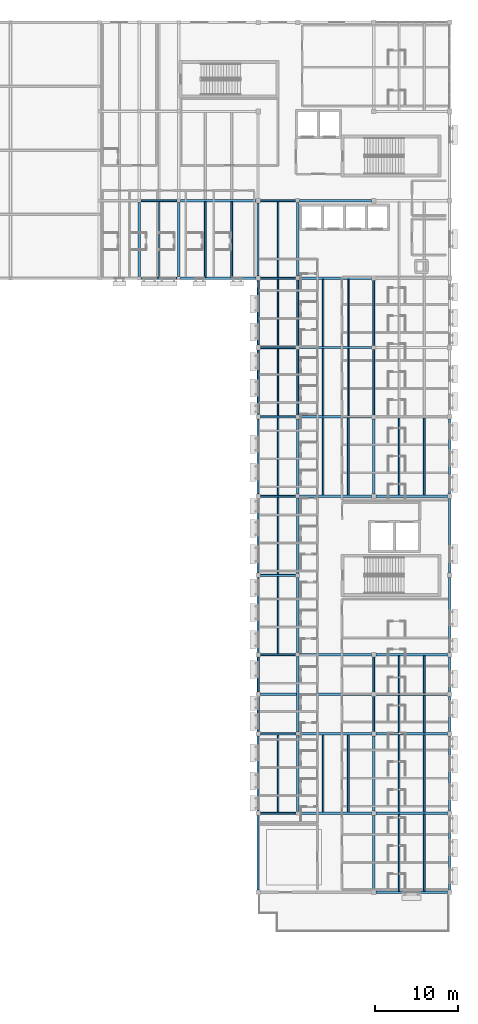
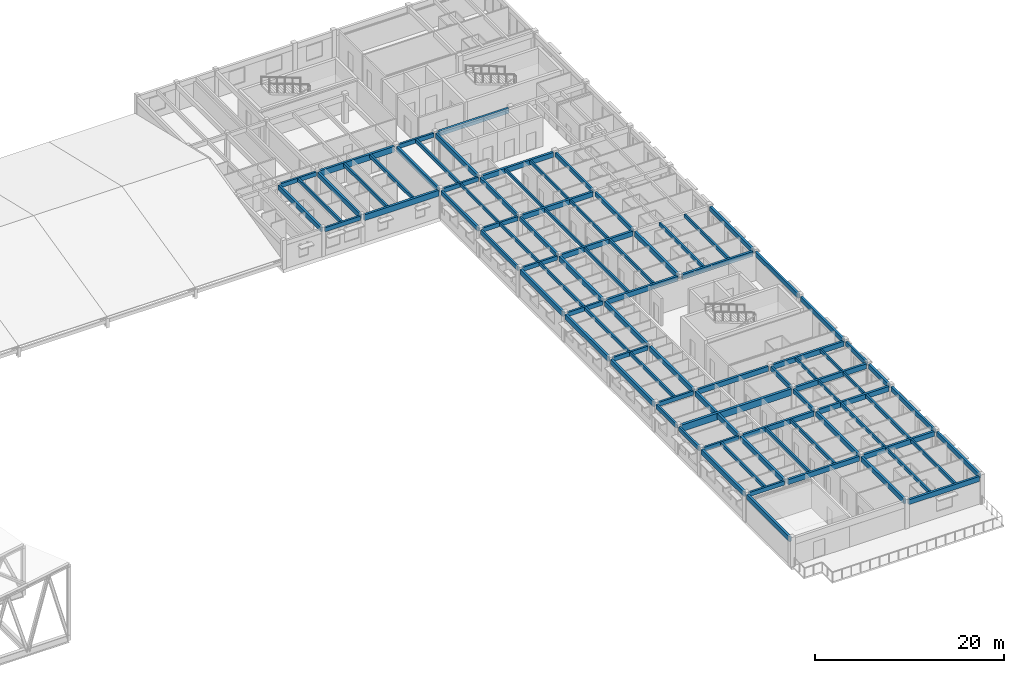
# One storey, part 17 of 40: 90 beams.
"""IFC4 building model written with IfcOpenShell, lengths in metres."""

from ifc_helpers import new_model, si_unit, direction, frame, origin, origin_2d, place, context, subcontext, project, spatial, rectangle, extrude, material, material_profile, profile_set, type_object, element, save


model = new_model("IFC4")

# Units and contexts
model_context = context("Model", 3, precision=1e-05, world=origin(), true_north=direction((0.0, 1.0)))
body_context = subcontext(model_context, "Body", "Model", "MODEL_VIEW")
ifc_project = project(units=[si_unit("LENGTHUNIT", "METRE"), si_unit("AREAUNIT", "SQUARE_METRE"), si_unit("VOLUMEUNIT", "CUBIC_METRE"), si_unit("PLANEANGLEUNIT", "RADIAN"), si_unit("MASSUNIT", "GRAM", prefix="KILO")], contexts=[model_context])

# Site, building, storey
site_placement = place(None, origin())
site = spatial("IfcSite", under=ifc_project, at=site_placement, CompositionType="ELEMENT")
building_placement = place(site_placement, origin())
building = spatial("IfcBuilding", under=site, at=building_placement, Name="Veldera Park Congress Hotel", CompositionType="ELEMENT")
storey_placement = place(building_placement, frame((0.0, 0.0, 16.199951171875)))
storey = spatial("IfcBuildingStorey", under=building, at=storey_placement, Name="L03", CompositionType="ELEMENT", Elevation=16.199951171875)

# Beams
ifc_material = material(Name="Glulam GL28h (NDS 24F-V4)", Category="wood")
ifc_material_profile_1 = material_profile(ifc_material, rectangle(XDim=0.239990234375, YDim=0.5400390625, at=origin_2d()), Name="GL28h 240x540")
ifc_profile_set_1 = profile_set([ifc_material_profile_1], Name="Glulam GL28h (NDS 24F-V4)")
beam_type_1 = type_object("IfcBeamType", Name="BM-GL540", PredefinedType="BEAM", material=ifc_profile_set_1)
for number, where, z_axis, x_axis, name in (
    (1, (61.080078125, -37.800048828125, 3.2900390625), (1.0, 0.0, 0.0), (0.0, 1.0, 0.0), "L03 Girder BM-GL540 1085"),
    (2, (61.080078125, -28.199951171875, 3.2900390625), (1.0, 0.0, 0.0), (0.0, 1.0, 0.0), "L03 Girder BM-GL540 1088"),
):
    element("IfcBeam", number, at=place(storey_placement, frame(where, z_axis=z_axis, x_axis=x_axis)), inside=storey, type_object=beam_type_1, Name=name, PredefinedType="BEAM", context=body_context, shape_type="SweptSolid", body=[
        extrude(rectangle(XDim=0.239990234375, YDim=0.5400390625, at=origin_2d()), origin(), (0.0, 0.0, 1.0), 4.309814453125),
    ])
for number, where, z_axis, x_axis, name in (
    (3, (61.080078125, -18.60009765625, 3.2900390625), (1.0, 0.0, 0.0), (0.0, 1.0, 0.0), "L03 Girder BM-GL540 1093"),
    (4, (61.080078125, -9.0, 3.2900390625), (1.0, 0.0, 0.0), (0.0, 1.0, 0.0), "L03 Girder BM-GL540 1096"),
    (5, (61.080078125, 0.60009765625, 3.2900390625), (1.0, 0.0, 0.0), (0.0, 1.0, 0.0), "L03 Girder BM-GL540 1097"),
    (6, (61.080078125, 10.199951171875, 3.2900390625), (1.0, 0.0, 0.0), (0.0, 1.0, 0.0), "L03 Girder BM-GL540 1100"),
    (7, (61.080078125, 18.60009765625, 3.2900390625), (1.0, 0.0, 0.0), (0.0, 1.0, 0.0), "L03 Girder BM-GL540 1103"),
):
    element("IfcBeam", number, at=place(storey_placement, frame(where, z_axis=z_axis, x_axis=x_axis)), inside=storey, type_object=beam_type_1, Name=name, PredefinedType="BEAM", context=body_context, shape_type="SweptSolid", body=[
        extrude(rectangle(XDim=0.239990234375, YDim=0.5400390625, at=origin_2d()), origin(), (0.0, 0.0, 1.0), 4.280029296875),
    ])
beam_1_placement = place(storey_placement, frame((46.625, 27.0, 3.2900390625), z_axis=(1.0, 0.0, 0.0), x_axis=(0.0, 1.0, 0.0)))
element("IfcBeam", 8, at=beam_1_placement, inside=storey, type_object=beam_type_1, Name="L03 Girder BM-GL540 1109", PredefinedType="BEAM", context=body_context, shape_type="SweptSolid", body=[
    extrude(rectangle(XDim=0.239990234375, YDim=0.5400390625, at=origin_2d()), origin(), (0.0, 0.0, 1.0), 4.35009765625),
])
beam_2_placement = place(storey_placement, frame((61.080078125, 27.0, 3.2900390625), z_axis=(1.0, 0.0, 0.0), x_axis=(0.0, 1.0, 0.0)))
element("IfcBeam", 9, at=beam_2_placement, inside=storey, type_object=beam_type_1, Name="L03 Girder BM-GL540 1111", PredefinedType="BEAM", context=body_context, shape_type="SweptSolid", body=[
    extrude(rectangle(XDim=0.239990234375, YDim=0.5400390625, at=origin_2d()), origin(), (0.0, 0.0, 1.0), 4.280029296875),
])
beam_3_placement = place(storey_placement, frame((46.610107421875, 36.39990234375, 3.2900390625), z_axis=(1.0, 0.0, 0.0), x_axis=(0.0, 1.0, 0.0)))
element("IfcBeam", 10, at=beam_3_placement, inside=storey, type_object=beam_type_1, Name="L03 Girder BM-GL540 1118", PredefinedType="BEAM", context=body_context, shape_type="SweptSolid", body=[
    extrude(rectangle(XDim=0.239990234375, YDim=0.5400390625, at=origin_2d()), origin(), (0.0, 0.0, 1.0), 4.3798828125),
])
beam_4_placement = place(storey_placement, frame((61.080078125, 36.39990234375, 3.2900390625), z_axis=(1.0, 0.0, 0.0), x_axis=(0.0, 1.0, 0.0)))
element("IfcBeam", 11, at=beam_4_placement, inside=storey, type_object=beam_type_1, Name="L03 Girder BM-GL540 1120", PredefinedType="BEAM", context=body_context, shape_type="SweptSolid", body=[
    extrude(rectangle(XDim=0.239990234375, YDim=0.5400390625, at=origin_2d()), origin(), (0.0, 0.0, 1.0), 4.280029296875),
])
beam_5_placement = place(storey_placement, frame((60.800048828125, -27.919921875, 3.2900390625), z_axis=(0.0, 1.0, 0.0), x_axis=(-1.0, 0.0, 0.0)))
element("IfcBeam", 12, at=beam_5_placement, inside=storey, type_object=beam_type_1, Name="L03 Girder BM-GL540 1159", PredefinedType="BEAM", context=body_context, shape_type="SweptSolid", body=[
    extrude(rectangle(XDim=0.239990234375, YDim=0.5400390625, at=origin_2d()), origin(), (0.0, 0.0, 1.0), 4.239990234375),
])
beam_6_placement = place(storey_placement, frame((60.800048828125, -23.1201171875, 3.2900390625), z_axis=(0.0, 1.0, 0.0), x_axis=(-1.0, 0.0, 0.0)))
element("IfcBeam", 13, at=beam_6_placement, inside=storey, type_object=beam_type_1, Name="L03 Girder BM-GL540 1160", PredefinedType="BEAM", context=body_context, shape_type="SweptSolid", body=[
    extrude(rectangle(XDim=0.239990234375, YDim=0.5400390625, at=origin_2d()), origin(), (0.0, 0.0, 1.0), 4.240234375),
])
for number, where, z_axis, x_axis, name in (
    (14, (60.800048828125, 10.47998046875, 3.2900390625), (0.0, 1.0, 0.0), (-1.0, 0.0, 0.0), "L03 Girder BM-GL540 1164"),
    (15, (60.800048828125, 18.8798828125, 3.2900390625), (0.0, 1.0, 0.0), (-1.0, 0.0, 0.0), "L03 Girder BM-GL540 1165"),
):
    element("IfcBeam", number, at=place(storey_placement, frame(where, z_axis=z_axis, x_axis=x_axis)), inside=storey, type_object=beam_type_1, Name=name, PredefinedType="BEAM", context=body_context, shape_type="SweptSolid", body=[
        extrude(rectangle(XDim=0.239990234375, YDim=0.5400390625, at=origin_2d()), origin(), (0.0, 0.0, 1.0), 7.840087890625),
    ])
beam_7_placement = place(storey_placement, frame((65.60009765625, 10.43994140625, 3.2900390625), z_axis=(0.0, 1.0, 0.0), x_axis=(-1.0, 0.0, 0.0)))
element("IfcBeam", 16, at=beam_7_placement, inside=storey, type_object=beam_type_1, Name="L03 Girder BM-GL540 1173", PredefinedType="BEAM", context=body_context, shape_type="SweptSolid", body=[
    extrude(rectangle(XDim=0.239990234375, YDim=0.5400390625, at=origin_2d()), origin(), (0.0, 0.0, 1.0), 7.920166015625),
])
beam_8_placement = place(storey_placement, frame((65.60009765625, 18.840087890625, 3.2900390625), z_axis=(0.0, 1.0, 0.0), x_axis=(-1.0, 0.0, 0.0)))
element("IfcBeam", 17, at=beam_8_placement, inside=storey, type_object=beam_type_1, Name="L03 Girder BM-GL540 1174", PredefinedType="BEAM", context=body_context, shape_type="SweptSolid", body=[
    extrude(rectangle(XDim=0.239990234375, YDim=0.5400390625, at=origin_2d()), origin(), (0.0, 0.0, 1.0), 7.919921875),
])
beam_9_placement = place(storey_placement, frame((74.800048828125, -27.93994140625, 3.2900390625), z_axis=(0.0, 1.0, 0.0), x_axis=(-1.0, 0.0, 0.0)))
element("IfcBeam", 18, at=beam_9_placement, inside=storey, type_object=beam_type_1, Name="L03 Girder BM-GL540 1178", PredefinedType="BEAM", context=body_context, shape_type="SweptSolid", body=[
    extrude(rectangle(XDim=0.239990234375, YDim=0.5400390625, at=origin_2d()), origin(), (0.0, 0.0, 1.0), 4.280029296875),
])
beam_10_placement = place(storey_placement, frame((74.800048828125, -23.139892578125, 3.2900390625), z_axis=(0.0, 1.0, 0.0), x_axis=(-1.0, 0.0, 0.0)))
element("IfcBeam", 19, at=beam_10_placement, inside=storey, type_object=beam_type_1, Name="L03 Girder BM-GL540 1179", PredefinedType="BEAM", context=body_context, shape_type="SweptSolid", body=[
    extrude(rectangle(XDim=0.239990234375, YDim=0.5400390625, at=origin_2d()), origin(), (0.0, 0.0, 1.0), 4.27978515625),
])
beam_11_placement = place(storey_placement, frame((74.800048828125, 10.4599609375, 3.2900390625), z_axis=(0.0, 1.0, 0.0), x_axis=(-1.0, 0.0, 0.0)))
element("IfcBeam", 20, at=beam_11_placement, inside=storey, type_object=beam_type_1, Name="L03 Girder BM-GL540 1181", PredefinedType="BEAM", context=body_context, shape_type="SweptSolid", body=[
    extrude(rectangle(XDim=0.239990234375, YDim=0.5400390625, at=origin_2d()), origin(), (0.0, 0.0, 1.0), 7.880126953125),
])
beam_12_placement = place(storey_placement, frame((74.800048828125, 18.860107421875, 3.2900390625), z_axis=(0.0, 1.0, 0.0), x_axis=(-1.0, 0.0, 0.0)))
element("IfcBeam", 21, at=beam_12_placement, inside=storey, type_object=beam_type_1, Name="L03 Girder BM-GL540 1182", PredefinedType="BEAM", context=body_context, shape_type="SweptSolid", body=[
    extrude(rectangle(XDim=0.239990234375, YDim=0.5400390625, at=origin_2d()), origin(), (0.0, 0.0, 1.0), 7.8798828125),
])
ifc_material_profile_2 = material_profile(ifc_material, rectangle(XDim=0.264892578125, YDim=0.580078125, at=origin_2d()), Name="GL28h 265x580")
ifc_profile_set_2 = profile_set([ifc_material_profile_2], Name="Glulam GL28h (NDS 24F-V4)")
beam_type_2 = type_object("IfcBeamType", Name="BM-GL540E", PredefinedType="BEAM", material=ifc_profile_set_2)
for number, where, z_axis, x_axis, name in (
    (22, (84.0, -47.1201171875, 3.27001953125), (0.0, 1.0, 0.0), (-1.0, 0.0, 0.0), "L03 Girder BM-GL540E 1184"),
    (23, (84.0, -37.52001953125, 3.27001953125), (0.0, 1.0, 0.0), (-1.0, 0.0, 0.0), "L03 Girder BM-GL540E 1185"),
):
    element("IfcBeam", number, at=place(storey_placement, frame(where, z_axis=z_axis, x_axis=x_axis)), inside=storey, type_object=beam_type_2, Name=name, PredefinedType="BEAM", context=body_context, shape_type="SweptSolid", body=[
        extrude(rectangle(XDim=0.264892578125, YDim=0.580078125, at=origin_2d()), origin(), (0.0, 0.0, 1.0), 9.0400390625),
    ])
beam_13_placement = place(storey_placement, frame((84.0, -27.919921875, 3.27001953125), z_axis=(0.0, 1.0, 0.0), x_axis=(-1.0, 0.0, 0.0)))
element("IfcBeam", 24, at=beam_13_placement, inside=storey, type_object=beam_type_2, Name="L03 Girder BM-GL540E 1186", PredefinedType="BEAM", context=body_context, shape_type="SweptSolid", body=[
    extrude(rectangle(XDim=0.264892578125, YDim=0.580078125, at=origin_2d()), origin(), (0.0, 0.0, 1.0), 4.239990234375),
])
beam_14_placement = place(storey_placement, frame((84.0, -23.1201171875, 3.27001953125), z_axis=(0.0, 1.0, 0.0), x_axis=(-1.0, 0.0, 0.0)))
element("IfcBeam", 25, at=beam_14_placement, inside=storey, type_object=beam_type_2, Name="L03 Girder BM-GL540E 1187", PredefinedType="BEAM", context=body_context, shape_type="SweptSolid", body=[
    extrude(rectangle(XDim=0.264892578125, YDim=0.580078125, at=origin_2d()), origin(), (0.0, 0.0, 1.0), 4.240234375),
])
for number, where, z_axis, x_axis, name in (
    (26, (84.0, -18.320068359375, 3.27001953125), (0.0, 1.0, 0.0), (-1.0, 0.0, 0.0), "L03 Girder BM-GL540E 1188"),
    (27, (84.0, -8.719970703125, 3.27001953125), (0.0, 1.0, 0.0), (-1.0, 0.0, 0.0), "L03 Girder BM-GL540E 1189"),
    (28, (84.0, 0.8798828125, 3.27001953125), (0.0, 1.0, 0.0), (-1.0, 0.0, 0.0), "L03 Girder BM-GL540E 1190"),
):
    element("IfcBeam", number, at=place(storey_placement, frame(where, z_axis=z_axis, x_axis=x_axis)), inside=storey, type_object=beam_type_2, Name=name, PredefinedType="BEAM", context=body_context, shape_type="SweptSolid", body=[
        extrude(rectangle(XDim=0.264892578125, YDim=0.580078125, at=origin_2d()), origin(), (0.0, 0.0, 1.0), 9.0400390625),
    ])
ifc_material_profile_3 = material_profile(ifc_material, rectangle(XDim=0.264892578125, YDim=0.6201171875, at=origin_2d()), Name="GL28h 265x620")
ifc_profile_set_3 = profile_set([ifc_material_profile_3], Name="Glulam GL28h (NDS 24F-V4)")
beam_type_3 = type_object("IfcBeamType", Name="BM-GL620", PredefinedType="BEAM", material=ifc_profile_set_3)
for number, where, z_axis, x_axis, name in (
    (29, (46.39990234375, 27.22509765625, 3.25), (0.0, 1.0, 0.0), (-1.0, 0.0, 0.0), "L03 Girder BM-GL620 1151"),
    (30, (51.199951171875, 27.22509765625, 3.25), (0.0, 1.0, 0.0), (-1.0, 0.0, 0.0), "L03 Girder BM-GL620 1154"),
):
    element("IfcBeam", number, at=place(storey_placement, frame(where, z_axis=z_axis, x_axis=x_axis)), inside=storey, type_object=beam_type_3, Name=name, PredefinedType="BEAM", context=body_context, shape_type="SweptSolid", body=[
        extrude(rectangle(XDim=0.264892578125, YDim=0.6201171875, at=origin_2d()), origin(), (0.0, 0.0, 1.0), 8.96484375),
    ])
beam_15_placement = place(storey_placement, frame((60.800048828125, 27.280029296875, 3.25), z_axis=(0.0, 1.0, 0.0), x_axis=(-1.0, 0.0, 0.0)))
element("IfcBeam", 31, at=beam_15_placement, inside=storey, type_object=beam_type_3, Name="L03 Girder BM-GL620 1166", PredefinedType="BEAM", context=body_context, shape_type="SweptSolid", body=[
    extrude(rectangle(XDim=0.264892578125, YDim=0.6201171875, at=origin_2d()), origin(), (0.0, 0.0, 1.0), 8.840087890625),
])
beam_16_placement = place(storey_placement, frame((65.60009765625, 27.239990234375, 3.25), z_axis=(0.0, 1.0, 0.0), x_axis=(-1.0, 0.0, 0.0)))
element("IfcBeam", 32, at=beam_16_placement, inside=storey, type_object=beam_type_3, Name="L03 Girder BM-GL620 1175", PredefinedType="BEAM", context=body_context, shape_type="SweptSolid", body=[
    extrude(rectangle(XDim=0.264892578125, YDim=0.6201171875, at=origin_2d()), origin(), (0.0, 0.0, 1.0), 8.919921875),
])
ifc_material_profile_4 = material_profile(ifc_material, rectangle(XDim=0.280029296875, YDim=0.639892578125, at=origin_2d()), Name="GL28h 280x640")
ifc_profile_set_4 = profile_set([ifc_material_profile_4], Name="Glulam GL28h (NDS 24F-V4)")
beam_type_4 = type_object("IfcBeamType", Name="BM-GL640", PredefinedType="BEAM", material=ifc_profile_set_4)
beam_17_placement = place(storey_placement, frame((75.06005859375, -47.39990234375, 3.239990234375), z_axis=(1.0, 0.0, 0.0), x_axis=(0.0, 1.0, 0.0)))
element("IfcBeam", 33, at=beam_17_placement, inside=storey, type_object=beam_type_4, Name="L03 Girder BM-GL640 1084", PredefinedType="BEAM", context=body_context, shape_type="SweptSolid", body=[
    extrude(rectangle(XDim=0.280029296875, YDim=0.639892578125, at=origin_2d()), origin(), (0.0, 0.0, 1.0), 8.659912109375),
])
beam_18_placement = place(storey_placement, frame((65.81005859375, -37.800048828125, 3.239990234375), z_axis=(1.0, 0.0, 0.0), x_axis=(0.0, 1.0, 0.0)))
element("IfcBeam", 34, at=beam_18_placement, inside=storey, type_object=beam_type_4, Name="L03 Girder BM-GL640 1086", PredefinedType="BEAM", context=body_context, shape_type="SweptSolid", body=[
    extrude(rectangle(XDim=0.280029296875, YDim=0.639892578125, at=origin_2d()), origin(), (0.0, 0.0, 1.0), 8.72998046875),
])
beam_19_placement = place(storey_placement, frame((75.06005859375, -37.800048828125, 3.239990234375), z_axis=(1.0, 0.0, 0.0), x_axis=(0.0, 1.0, 0.0)))
element("IfcBeam", 35, at=beam_19_placement, inside=storey, type_object=beam_type_4, Name="L03 Girder BM-GL640 1087", PredefinedType="BEAM", context=body_context, shape_type="SweptSolid", body=[
    extrude(rectangle(XDim=0.280029296875, YDim=0.639892578125, at=origin_2d()), origin(), (0.0, 0.0, 1.0), 8.659912109375),
])
beam_20_placement = place(storey_placement, frame((65.81005859375, -28.199951171875, 3.239990234375), z_axis=(1.0, 0.0, 0.0), x_axis=(0.0, 1.0, 0.0)))
element("IfcBeam", 36, at=beam_20_placement, inside=storey, type_object=beam_type_4, Name="L03 Girder BM-GL640 1089", PredefinedType="BEAM", context=body_context, shape_type="SweptSolid", body=[
    extrude(rectangle(XDim=0.280029296875, YDim=0.639892578125, at=origin_2d()), origin(), (0.0, 0.0, 1.0), 8.72998046875),
])
for number, where, z_axis, x_axis, name in (
    (37, (75.06005859375, -28.199951171875, 3.239990234375), (1.0, 0.0, 0.0), (0.0, 1.0, 0.0), "L03 Girder BM-GL640 1090"),
    (38, (75.06005859375, -23.39990234375, 3.239990234375), (1.0, 0.0, 0.0), (0.0, 1.0, 0.0), "L03 Girder BM-GL640 1092"),
):
    element("IfcBeam", number, at=place(storey_placement, frame(where, z_axis=z_axis, x_axis=x_axis)), inside=storey, type_object=beam_type_4, Name=name, PredefinedType="BEAM", context=body_context, shape_type="SweptSolid", body=[
        extrude(rectangle(XDim=0.280029296875, YDim=0.639892578125, at=origin_2d()), origin(), (0.0, 0.0, 1.0), 8.659912109375),
    ])
beam_21_placement = place(storey_placement, frame((65.840087890625, -18.60009765625, 3.239990234375), z_axis=(1.0, 0.0, 0.0), x_axis=(0.0, 1.0, 0.0)))
element("IfcBeam", 39, at=beam_21_placement, inside=storey, type_object=beam_type_4, Name="L03 Girder BM-GL640 1094", PredefinedType="BEAM", context=body_context, shape_type="SweptSolid", body=[
    extrude(rectangle(XDim=0.280029296875, YDim=0.639892578125, at=origin_2d()), origin(), (0.0, 0.0, 1.0), 8.699951171875),
])
beam_22_placement = place(storey_placement, frame((75.06005859375, -18.60009765625, 3.239990234375), z_axis=(1.0, 0.0, 0.0), x_axis=(0.0, 1.0, 0.0)))
element("IfcBeam", 40, at=beam_22_placement, inside=storey, type_object=beam_type_4, Name="L03 Girder BM-GL640 1095", PredefinedType="BEAM", context=body_context, shape_type="SweptSolid", body=[
    extrude(rectangle(XDim=0.280029296875, YDim=0.639892578125, at=origin_2d()), origin(), (0.0, 0.0, 1.0), 8.659912109375),
])
beam_23_placement = place(storey_placement, frame((65.840087890625, 0.60009765625, 3.239990234375), z_axis=(1.0, 0.0, 0.0), x_axis=(0.0, 1.0, 0.0)))
element("IfcBeam", 41, at=beam_23_placement, inside=storey, type_object=beam_type_4, Name="L03 Girder BM-GL640 1098", PredefinedType="BEAM", context=body_context, shape_type="SweptSolid", body=[
    extrude(rectangle(XDim=0.280029296875, YDim=0.639892578125, at=origin_2d()), origin(), (0.0, 0.0, 1.0), 8.699951171875),
])
beam_24_placement = place(storey_placement, frame((75.06005859375, 0.60009765625, 3.239990234375), z_axis=(1.0, 0.0, 0.0), x_axis=(0.0, 1.0, 0.0)))
element("IfcBeam", 42, at=beam_24_placement, inside=storey, type_object=beam_type_4, Name="L03 Girder BM-GL640 1099", PredefinedType="BEAM", context=body_context, shape_type="SweptSolid", body=[
    extrude(rectangle(XDim=0.280029296875, YDim=0.639892578125, at=origin_2d()), origin(), (0.0, 0.0, 1.0), 8.659912109375),
])
for number, where, z_axis, x_axis, name in (
    (43, (65.840087890625, 10.199951171875, 3.239990234375), (1.0, 0.0, 0.0), (0.0, 1.0, 0.0), "L03 Girder BM-GL640 1101"),
    (44, (65.840087890625, 18.60009765625, 3.239990234375), (1.0, 0.0, 0.0), (0.0, 1.0, 0.0), "L03 Girder BM-GL640 1104"),
    (45, (65.840087890625, 27.0, 3.239990234375), (1.0, 0.0, 0.0), (0.0, 1.0, 0.0), "L03 Girder BM-GL640 1112"),
    (46, (65.840087890625, 36.39990234375, 3.239990234375), (1.0, 0.0, 0.0), (0.0, 1.0, 0.0), "L03 Girder BM-GL640 1121"),
):
    element("IfcBeam", number, at=place(storey_placement, frame(where, z_axis=z_axis, x_axis=x_axis)), inside=storey, type_object=beam_type_4, Name=name, PredefinedType="BEAM", context=body_context, shape_type="SweptSolid", body=[
        extrude(rectangle(XDim=0.280029296875, YDim=0.639892578125, at=origin_2d()), origin(), (0.0, 0.0, 1.0), 8.699951171875),
    ])
for number, where, z_axis, x_axis, name in (
    (47, (60.800048828125, -47.1201171875, 3.239990234375), (0.0, 1.0, 0.0), (-1.0, 0.0, 0.0), "L03 Girder BM-GL640 1157"),
    (48, (60.800048828125, -37.52001953125, 3.239990234375), (0.0, 1.0, 0.0), (-1.0, 0.0, 0.0), "L03 Girder BM-GL640 1158"),
    (49, (60.800048828125, -18.320068359375, 3.239990234375), (0.0, 1.0, 0.0), (-1.0, 0.0, 0.0), "L03 Girder BM-GL640 1161"),
    (50, (60.800048828125, -8.719970703125, 3.239990234375), (0.0, 1.0, 0.0), (-1.0, 0.0, 0.0), "L03 Girder BM-GL640 1162"),
    (51, (60.800048828125, 0.8798828125, 3.239990234375), (0.0, 1.0, 0.0), (-1.0, 0.0, 0.0), "L03 Girder BM-GL640 1163"),
):
    element("IfcBeam", number, at=place(storey_placement, frame(where, z_axis=z_axis, x_axis=x_axis)), inside=storey, type_object=beam_type_4, Name=name, PredefinedType="BEAM", context=body_context, shape_type="SweptSolid", body=[
        extrude(rectangle(XDim=0.280029296875, YDim=0.639892578125, at=origin_2d()), origin(), (0.0, 0.0, 1.0), 9.0400390625),
    ])
beam_25_placement = place(storey_placement, frame((65.60009765625, -37.590087890625, 3.239990234375), z_axis=(0.0, 1.0, 0.0), x_axis=(-1.0, 0.0, 0.0)))
element("IfcBeam", 52, at=beam_25_placement, inside=storey, type_object=beam_type_4, Name="L03 Girder BM-GL640 1168", PredefinedType="BEAM", context=body_context, shape_type="SweptSolid", body=[
    extrude(rectangle(XDim=0.280029296875, YDim=0.639892578125, at=origin_2d()), origin(), (0.0, 0.0, 1.0), 9.18017578125),
])
beam_26_placement = place(storey_placement, frame((65.60009765625, -27.989990234375, 3.239990234375), z_axis=(0.0, 1.0, 0.0), x_axis=(-1.0, 0.0, 0.0)))
element("IfcBeam", 53, at=beam_26_placement, inside=storey, type_object=beam_type_4, Name="L03 Girder BM-GL640 1169", PredefinedType="BEAM", context=body_context, shape_type="SweptSolid", body=[
    extrude(rectangle(XDim=0.280029296875, YDim=0.639892578125, at=origin_2d()), origin(), (0.0, 0.0, 1.0), 9.14990234375),
])
for number, where, z_axis, x_axis, name in (
    (54, (65.60009765625, -18.360107421875, 3.239990234375), (0.0, 1.0, 0.0), (-1.0, 0.0, 0.0), "L03 Girder BM-GL640 1170"),
    (55, (65.60009765625, -8.760009765625, 3.239990234375), (0.0, 1.0, 0.0), (-1.0, 0.0, 0.0), "L03 Girder BM-GL640 1171"),
):
    element("IfcBeam", number, at=place(storey_placement, frame(where, z_axis=z_axis, x_axis=x_axis)), inside=storey, type_object=beam_type_4, Name=name, PredefinedType="BEAM", context=body_context, shape_type="SweptSolid", body=[
        extrude(rectangle(XDim=0.280029296875, YDim=0.639892578125, at=origin_2d()), origin(), (0.0, 0.0, 1.0), 9.1201171875),
    ])
beam_27_placement = place(storey_placement, frame((65.60009765625, 0.840087890625, 3.239990234375), z_axis=(0.0, 1.0, 0.0), x_axis=(-1.0, 0.0, 0.0)))
element("IfcBeam", 56, at=beam_27_placement, inside=storey, type_object=beam_type_4, Name="L03 Girder BM-GL640 1172", PredefinedType="BEAM", context=body_context, shape_type="SweptSolid", body=[
    extrude(rectangle(XDim=0.280029296875, YDim=0.639892578125, at=origin_2d()), origin(), (0.0, 0.0, 1.0), 9.119873046875),
])
beam_28_placement = place(storey_placement, frame((74.800048828125, -47.139892578125, 3.239990234375), z_axis=(0.0, 1.0, 0.0), x_axis=(-1.0, 0.0, 0.0)))
element("IfcBeam", 57, at=beam_28_placement, inside=storey, type_object=beam_type_4, Name="L03 Girder BM-GL640 1176", PredefinedType="BEAM", context=body_context, shape_type="SweptSolid", body=[
    extrude(rectangle(XDim=0.280029296875, YDim=0.639892578125, at=origin_2d()), origin(), (0.0, 0.0, 1.0), 9.079833984375),
])
beam_29_placement = place(storey_placement, frame((74.800048828125, -37.5400390625, 3.239990234375), z_axis=(0.0, 1.0, 0.0), x_axis=(-1.0, 0.0, 0.0)))
element("IfcBeam", 58, at=beam_29_placement, inside=storey, type_object=beam_type_4, Name="L03 Girder BM-GL640 1177", PredefinedType="BEAM", context=body_context, shape_type="SweptSolid", body=[
    extrude(rectangle(XDim=0.280029296875, YDim=0.639892578125, at=origin_2d()), origin(), (0.0, 0.0, 1.0), 9.080078125),
])
beam_30_placement = place(storey_placement, frame((74.800048828125, 0.860107421875, 3.239990234375), z_axis=(0.0, 1.0, 0.0), x_axis=(-1.0, 0.0, 0.0)))
element("IfcBeam", 59, at=beam_30_placement, inside=storey, type_object=beam_type_4, Name="L03 Girder BM-GL640 1180", PredefinedType="BEAM", context=body_context, shape_type="SweptSolid", body=[
    extrude(rectangle(XDim=0.280029296875, YDim=0.639892578125, at=origin_2d()), origin(), (0.0, 0.0, 1.0), 9.079833984375),
])
ifc_material_profile_5 = material_profile(ifc_material, rectangle(XDim=0.280029296875, YDim=0.760009765625, at=origin_2d()), Name="GL28h 280x760")
ifc_profile_set_5 = profile_set([ifc_material_profile_5], Name="Glulam GL28h (NDS 24F-V4)")
beam_type_5 = type_object("IfcBeamType", Name="BM-GL760", PredefinedType="BEAM", material=ifc_profile_set_5)
beam_31_placement = place(storey_placement, frame((51.425048828125, 27.0, 3.179931640625), z_axis=(1.0, 0.0, 0.0), x_axis=(0.0, 1.0, 0.0)))
element("IfcBeam", 60, at=beam_31_placement, inside=storey, type_object=beam_type_5, Name="L03 Girder BM-GL760 1110", PredefinedType="BEAM", context=body_context, shape_type="SweptSolid", body=[
    extrude(rectangle(XDim=0.280029296875, YDim=0.760009765625, at=origin_2d()), origin(), (0.0, 0.0, 1.0), 9.094970703125),
])
beam_32_placement = place(storey_placement, frame((51.409912109375, 36.39990234375, 3.179931640625), z_axis=(1.0, 0.0, 0.0), x_axis=(0.0, 1.0, 0.0)))
element("IfcBeam", 61, at=beam_32_placement, inside=storey, type_object=beam_type_5, Name="L03 Girder BM-GL760 1119", PredefinedType="BEAM", context=body_context, shape_type="SweptSolid", body=[
    extrude(rectangle(XDim=0.280029296875, YDim=0.760009765625, at=origin_2d()), origin(), (0.0, 0.0, 1.0), 9.110107421875),
])
ifc_material_profile_6 = material_profile(ifc_material, rectangle(XDim=0.31494140625, YDim=0.860107421875, at=origin_2d()), Name="GL28h 315x860")
ifc_profile_set_6 = profile_set([ifc_material_profile_6], Name="Glulam GL28h (NDS 24F-V4)")
beam_type_6 = type_object("IfcBeamType", Name="BM-GL860", PredefinedType="BEAM", material=ifc_profile_set_6)
beam_33_placement = place(storey_placement, frame((61.080078125, -23.39990234375, 3.130126953125), z_axis=(1.0, 0.0, 0.0), x_axis=(0.0, 1.0, 0.0)))
element("IfcBeam", 62, at=beam_33_placement, inside=storey, type_object=beam_type_6, Name="L03 Girder BM-GL860 1091", PredefinedType="BEAM", context=body_context, shape_type="SweptSolid", body=[
    extrude(rectangle(XDim=0.31494140625, YDim=0.860107421875, at=origin_2d()), origin(), (0.0, 0.0, 1.0), 13.4599609375),
])
ifc_material_profile_7 = material_profile(ifc_material, rectangle(XDim=0.18994140625, YDim=0.39990234375, at=origin_2d()), Name="GL28h 190x400")
ifc_profile_set_7 = profile_set([ifc_material_profile_7], Name="Glulam GL28h (NDS 24F-V4)")
beam_type_7 = type_object("IfcBeamType", Name="JST-GL400", PredefinedType="JOIST", material=ifc_profile_set_7)
for number, where, z_axis, x_axis, name in (
    (63, (77.86669921875, -28.06005859375, 3.360107421875), (0.0, 1.0, 0.0), (-1.0, 0.0, 0.0), "L03 Floor Joist JST-GL400 1203"),
    (64, (80.933349609375, -28.06005859375, 3.360107421875), (0.0, 1.0, 0.0), (-1.0, 0.0, 0.0), "L03 Floor Joist JST-GL400 1204"),
    (65, (77.86669921875, -23.260009765625, 3.360107421875), (0.0, 1.0, 0.0), (-1.0, 0.0, 0.0), "L03 Floor Joist JST-GL400 1205"),
    (66, (80.933349609375, -23.260009765625, 3.360107421875), (0.0, 1.0, 0.0), (-1.0, 0.0, 0.0), "L03 Floor Joist JST-GL400 1206"),
):
    element("IfcBeam", number, at=place(storey_placement, frame(where, z_axis=z_axis, x_axis=x_axis)), inside=storey, type_object=beam_type_7, Name=name, PredefinedType="JOIST", context=body_context, shape_type="SweptSolid", body=[
        extrude(rectangle(XDim=0.18994140625, YDim=0.39990234375, at=origin_2d()), origin(), (0.0, 0.0, 1.0), 4.52001953125),
    ])
beam_34_placement = place(storey_placement, frame((63.199951171875, 10.320068359375, 3.360107421875), z_axis=(0.0, 1.0, 0.0), x_axis=(-1.0, 0.0, 0.0)))
element("IfcBeam", 67, at=beam_34_placement, inside=storey, type_object=beam_type_7, Name="L03 Floor Joist JST-GL400 1214", PredefinedType="JOIST", context=body_context, shape_type="SweptSolid", body=[
    extrude(rectangle(XDim=0.18994140625, YDim=0.39990234375, at=origin_2d()), origin(), (0.0, 0.0, 1.0), 8.159912109375),
])
for number, where, z_axis, x_axis, name in (
    (68, (68.666748046875, 10.340087890625, 3.360107421875), (0.0, 1.0, 0.0), (-1.0, 0.0, 0.0), "L03 Floor Joist JST-GL400 1215"),
    (69, (71.7333984375, 10.340087890625, 3.360107421875), (0.0, 1.0, 0.0), (-1.0, 0.0, 0.0), "L03 Floor Joist JST-GL400 1216"),
):
    element("IfcBeam", number, at=place(storey_placement, frame(where, z_axis=z_axis, x_axis=x_axis)), inside=storey, type_object=beam_type_7, Name=name, PredefinedType="JOIST", context=body_context, shape_type="SweptSolid", body=[
        extrude(rectangle(XDim=0.18994140625, YDim=0.39990234375, at=origin_2d()), origin(), (0.0, 0.0, 1.0), 8.119873046875),
    ])
beam_35_placement = place(storey_placement, frame((63.199951171875, 18.719970703125, 3.360107421875), z_axis=(0.0, 1.0, 0.0), x_axis=(-1.0, 0.0, 0.0)))
element("IfcBeam", 70, at=beam_35_placement, inside=storey, type_object=beam_type_7, Name="L03 Floor Joist JST-GL400 1219", PredefinedType="JOIST", context=body_context, shape_type="SweptSolid", body=[
    extrude(rectangle(XDim=0.18994140625, YDim=0.39990234375, at=origin_2d()), origin(), (0.0, 0.0, 1.0), 8.159912109375),
])
for number, where, z_axis, x_axis, name in (
    (71, (68.666748046875, 18.739990234375, 3.360107421875), (0.0, 1.0, 0.0), (-1.0, 0.0, 0.0), "L03 Floor Joist JST-GL400 1220"),
    (72, (71.7333984375, 18.739990234375, 3.360107421875), (0.0, 1.0, 0.0), (-1.0, 0.0, 0.0), "L03 Floor Joist JST-GL400 1221"),
):
    element("IfcBeam", number, at=place(storey_placement, frame(where, z_axis=z_axis, x_axis=x_axis)), inside=storey, type_object=beam_type_7, Name=name, PredefinedType="JOIST", context=body_context, shape_type="SweptSolid", body=[
        extrude(rectangle(XDim=0.18994140625, YDim=0.39990234375, at=origin_2d()), origin(), (0.0, 0.0, 1.0), 8.1201171875),
    ])
ifc_material_profile_8 = material_profile(ifc_material, rectangle(XDim=0.215087890625, YDim=0.449951171875, at=origin_2d()), Name="GL28h 215x450")
ifc_profile_set_8 = profile_set([ifc_material_profile_8], Name="Glulam GL28h (NDS 24F-V4)")
beam_type_8 = type_object("IfcBeamType", Name="JST-GL450", PredefinedType="JOIST", material=ifc_profile_set_8)
for number, where, z_axis, x_axis, name in (
    (73, (77.86669921875, -47.260009765625, 3.3349609375), (0.0, 1.0, 0.0), (-1.0, 0.0, 0.0), "L03 Floor Joist JST-GL450 1196"),
    (74, (80.933349609375, -47.260009765625, 3.3349609375), (0.0, 1.0, 0.0), (-1.0, 0.0, 0.0), "L03 Floor Joist JST-GL450 1197"),
):
    element("IfcBeam", number, at=place(storey_placement, frame(where, z_axis=z_axis, x_axis=x_axis)), inside=storey, type_object=beam_type_8, Name=name, PredefinedType="JOIST", context=body_context, shape_type="SweptSolid", body=[
        extrude(rectangle(XDim=0.215087890625, YDim=0.449951171875, at=origin_2d()), origin(), (0.0, 0.0, 1.0), 9.320068359375),
    ])
beam_36_placement = place(storey_placement, frame((63.199951171875, -37.679931640625, 3.3349609375), z_axis=(0.0, 1.0, 0.0), x_axis=(-1.0, 0.0, 0.0)))
element("IfcBeam", 75, at=beam_36_placement, inside=storey, type_object=beam_type_8, Name="L03 Floor Joist JST-GL450 1198", PredefinedType="JOIST", context=body_context, shape_type="SweptSolid", body=[
    extrude(rectangle(XDim=0.215087890625, YDim=0.449951171875, at=origin_2d()), origin(), (0.0, 0.0, 1.0), 9.35986328125),
])
for number, where, z_axis, x_axis, name in (
    (76, (68.666748046875, -37.659912109375, 3.3349609375), (0.0, 1.0, 0.0), (-1.0, 0.0, 0.0), "L03 Floor Joist JST-GL450 1199"),
    (77, (71.7333984375, -37.659912109375, 3.3349609375), (0.0, 1.0, 0.0), (-1.0, 0.0, 0.0), "L03 Floor Joist JST-GL450 1200"),
    (78, (77.86669921875, -37.659912109375, 3.3349609375), (0.0, 1.0, 0.0), (-1.0, 0.0, 0.0), "L03 Floor Joist JST-GL450 1201"),
    (79, (80.933349609375, -37.659912109375, 3.3349609375), (0.0, 1.0, 0.0), (-1.0, 0.0, 0.0), "L03 Floor Joist JST-GL450 1202"),
):
    element("IfcBeam", number, at=place(storey_placement, frame(where, z_axis=z_axis, x_axis=x_axis)), inside=storey, type_object=beam_type_8, Name=name, PredefinedType="JOIST", context=body_context, shape_type="SweptSolid", body=[
        extrude(rectangle(XDim=0.215087890625, YDim=0.449951171875, at=origin_2d()), origin(), (0.0, 0.0, 1.0), 9.31982421875),
    ])
for number, where, z_axis, x_axis, name in (
    (80, (63.199951171875, -18.47998046875, 3.3349609375), (0.0, 1.0, 0.0), (-1.0, 0.0, 0.0), "L03 Floor Joist JST-GL450 1207"),
    (81, (63.199951171875, -8.8798828125, 3.3349609375), (0.0, 1.0, 0.0), (-1.0, 0.0, 0.0), "L03 Floor Joist JST-GL450 1208"),
):
    element("IfcBeam", number, at=place(storey_placement, frame(where, z_axis=z_axis, x_axis=x_axis)), inside=storey, type_object=beam_type_8, Name=name, PredefinedType="JOIST", context=body_context, shape_type="SweptSolid", body=[
        extrude(rectangle(XDim=0.215087890625, YDim=0.449951171875, at=origin_2d()), origin(), (0.0, 0.0, 1.0), 9.35986328125),
    ])
beam_37_placement = place(storey_placement, frame((63.199951171875, 0.719970703125, 3.3349609375), z_axis=(0.0, 1.0, 0.0), x_axis=(-1.0, 0.0, 0.0)))
element("IfcBeam", 82, at=beam_37_placement, inside=storey, type_object=beam_type_8, Name="L03 Floor Joist JST-GL450 1209", PredefinedType="JOIST", context=body_context, shape_type="SweptSolid", body=[
    extrude(rectangle(XDim=0.215087890625, YDim=0.449951171875, at=origin_2d()), origin(), (0.0, 0.0, 1.0), 9.360107421875),
])
for number, where, z_axis, x_axis, name in (
    (83, (68.666748046875, 0.739990234375, 3.3349609375), (0.0, 1.0, 0.0), (-1.0, 0.0, 0.0), "L03 Floor Joist JST-GL450 1210"),
    (84, (71.7333984375, 0.739990234375, 3.3349609375), (0.0, 1.0, 0.0), (-1.0, 0.0, 0.0), "L03 Floor Joist JST-GL450 1211"),
    (85, (77.86669921875, 0.739990234375, 3.3349609375), (0.0, 1.0, 0.0), (-1.0, 0.0, 0.0), "L03 Floor Joist JST-GL450 1212"),
    (86, (80.933349609375, 0.739990234375, 3.3349609375), (0.0, 1.0, 0.0), (-1.0, 0.0, 0.0), "L03 Floor Joist JST-GL450 1213"),
):
    element("IfcBeam", number, at=place(storey_placement, frame(where, z_axis=z_axis, x_axis=x_axis)), inside=storey, type_object=beam_type_8, Name=name, PredefinedType="JOIST", context=body_context, shape_type="SweptSolid", body=[
        extrude(rectangle(XDim=0.215087890625, YDim=0.449951171875, at=origin_2d()), origin(), (0.0, 0.0, 1.0), 9.320068359375),
    ])
beam_38_placement = place(storey_placement, frame((48.800048828125, 27.1201171875, 3.3349609375), z_axis=(0.0, 1.0, 0.0), x_axis=(-1.0, 0.0, 0.0)))
element("IfcBeam", 87, at=beam_38_placement, inside=storey, type_object=beam_type_8, Name="L03 Floor Joist JST-GL450 1229", PredefinedType="JOIST", context=body_context, shape_type="SweptSolid", body=[
    extrude(rectangle(XDim=0.215087890625, YDim=0.449951171875, at=origin_2d()), origin(), (0.0, 0.0, 1.0), 9.159912109375),
])
for number, where, z_axis, x_axis, name in (
    (88, (54.39990234375, 27.139892578125, 3.3349609375), (0.0, 1.0, 0.0), (-1.0, 0.0, 0.0), "L03 Floor Joist JST-GL450 1230"),
    (89, (57.60009765625, 27.139892578125, 3.3349609375), (0.0, 1.0, 0.0), (-1.0, 0.0, 0.0), "L03 Floor Joist JST-GL450 1231"),
):
    element("IfcBeam", number, at=place(storey_placement, frame(where, z_axis=z_axis, x_axis=x_axis)), inside=storey, type_object=beam_type_8, Name=name, PredefinedType="JOIST", context=body_context, shape_type="SweptSolid", body=[
        extrude(rectangle(XDim=0.215087890625, YDim=0.449951171875, at=origin_2d()), origin(), (0.0, 0.0, 1.0), 9.1201171875),
    ])
beam_39_placement = place(storey_placement, frame((63.199951171875, 27.1201171875, 3.3349609375), z_axis=(0.0, 1.0, 0.0), x_axis=(-1.0, 0.0, 0.0)))
element("IfcBeam", 90, at=beam_39_placement, inside=storey, type_object=beam_type_8, Name="L03 Floor Joist JST-GL450 1232", PredefinedType="JOIST", context=body_context, shape_type="SweptSolid", body=[
    extrude(rectangle(XDim=0.215087890625, YDim=0.449951171875, at=origin_2d()), origin(), (0.0, 0.0, 1.0), 9.159912109375),
])

save(model, "model.ifc")
